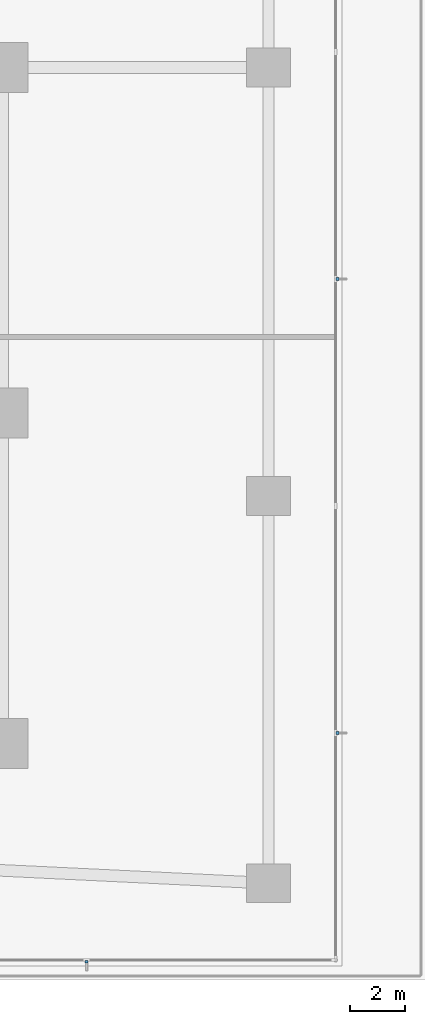
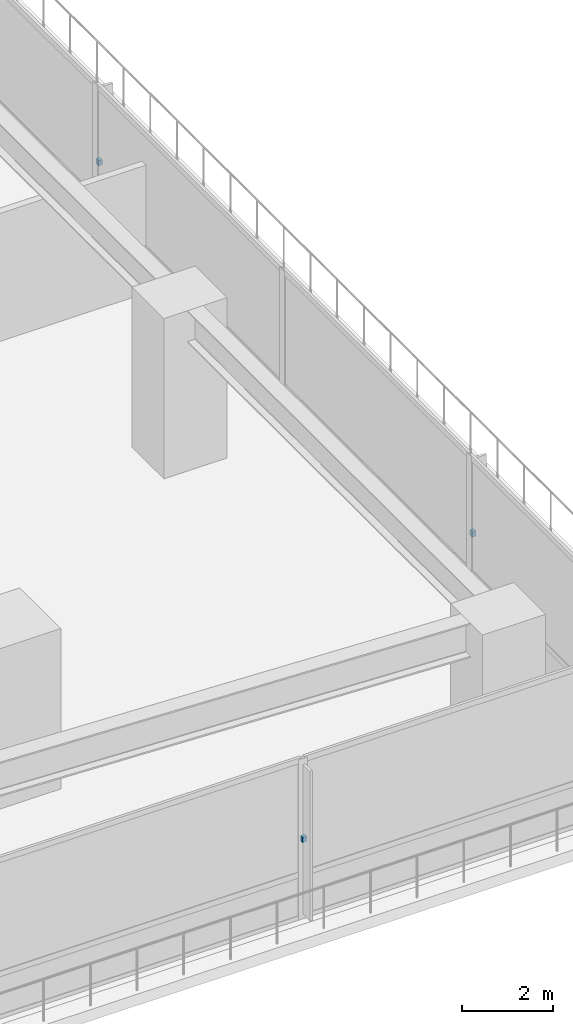
# One storey, part 17 of 28: 3 discrete accessories.
"""IFC4 building model written with IfcOpenShell, lengths in metres."""

from ifc_helpers import new_model, si_unit, direction, frame, origin, place, context, subcontext, project, spatial, polyline, outline, extrude, material, type_object, element, save


model = new_model("IFC4")

# Units and contexts
model_context = context("Model", 3, precision=1e-05, world=origin(), true_north=direction((0.0, 1.0)))
body_context = subcontext(model_context, "Body", "Model", "MODEL_VIEW")
ifc_project = project(units=[si_unit("LENGTHUNIT", "METRE"), si_unit("AREAUNIT", "SQUARE_METRE"), si_unit("VOLUMEUNIT", "CUBIC_METRE"), si_unit("PLANEANGLEUNIT", "RADIAN"), si_unit("MASSUNIT", "GRAM", prefix="KILO")], contexts=[model_context])

# Site, building, storey
site_placement = place(None, origin())
site = spatial("IfcSite", under=ifc_project, at=site_placement, CompositionType="ELEMENT")
building_placement = place(site_placement, origin())
building = spatial("IfcBuilding", under=site, at=building_placement, Name="Qalmaran Belvedere Hotel", CompositionType="ELEMENT")
storey_placement = place(building_placement, frame((0.0, 0.0, 10.0)))
storey = spatial("IfcBuildingStorey", under=building, at=storey_placement, Name="L02", CompositionType="ELEMENT", Elevation=10.0)

# Discrete accessories
ifc_material = material(Name="Stainless Steel 1.4401", Category="steel")
discrete_accessory_type = type_object("IfcDiscreteAccessoryType", Name="BRK-FIN-SS316", PredefinedType="BRACKET", material=ifc_material)
discrete_accessory_1_placement = place(storey_placement, frame((0.0, 0.0, 2.10009765625)))
element("IfcDiscreteAccessory", 1, at=discrete_accessory_1_placement, inside=storey, type_object=discrete_accessory_type, Name="L02 Fin Bracket 7", PredefinedType="BRACKET", context=body_context, shape_type="SweptSolid", body=[
    extrude(outline(polyline([(63.717529296875, 0.705078125), (63.717529296875, 0.607421875), (63.827392578125, 0.607421875), (63.827392578125, 0.705078125), (63.717529296875, 0.705078125)])), origin(), (0.0, 0.0, 1.0), 0.139892578125),
])
discrete_accessory_2_placement = place(storey_placement, frame((0.0, 0.0, 2.10009765625)))
element("IfcDiscreteAccessory", 2, at=discrete_accessory_2_placement, inside=storey, type_object=discrete_accessory_type, Name="L02 Fin Bracket 1", PredefinedType="BRACKET", context=body_context, shape_type="SweptSolid", body=[
    extrude(outline(polyline([(72.794921875, 8.875), (72.892578125, 8.875), (72.892578125, 8.985107421875), (72.794921875, 8.985107421875), (72.794921875, 8.875)])), origin(), (0.0, 0.0, 1.0), 0.139892578125),
])
discrete_accessory_3_placement = place(storey_placement, frame((0.0, 0.0, 2.10009765625)))
element("IfcDiscreteAccessory", 3, at=discrete_accessory_3_placement, inside=storey, type_object=discrete_accessory_type, Name="L02 Fin Bracket 3", PredefinedType="BRACKET", context=body_context, shape_type="SweptSolid", body=[
    extrude(outline(polyline([(72.794921875, 25.294921875), (72.892578125, 25.294921875), (72.892578125, 25.405029296875), (72.794921875, 25.405029296875), (72.794921875, 25.294921875)])), origin(), (0.0, 0.0, 1.0), 0.139892578125),
])

save(model, "model.ifc")
